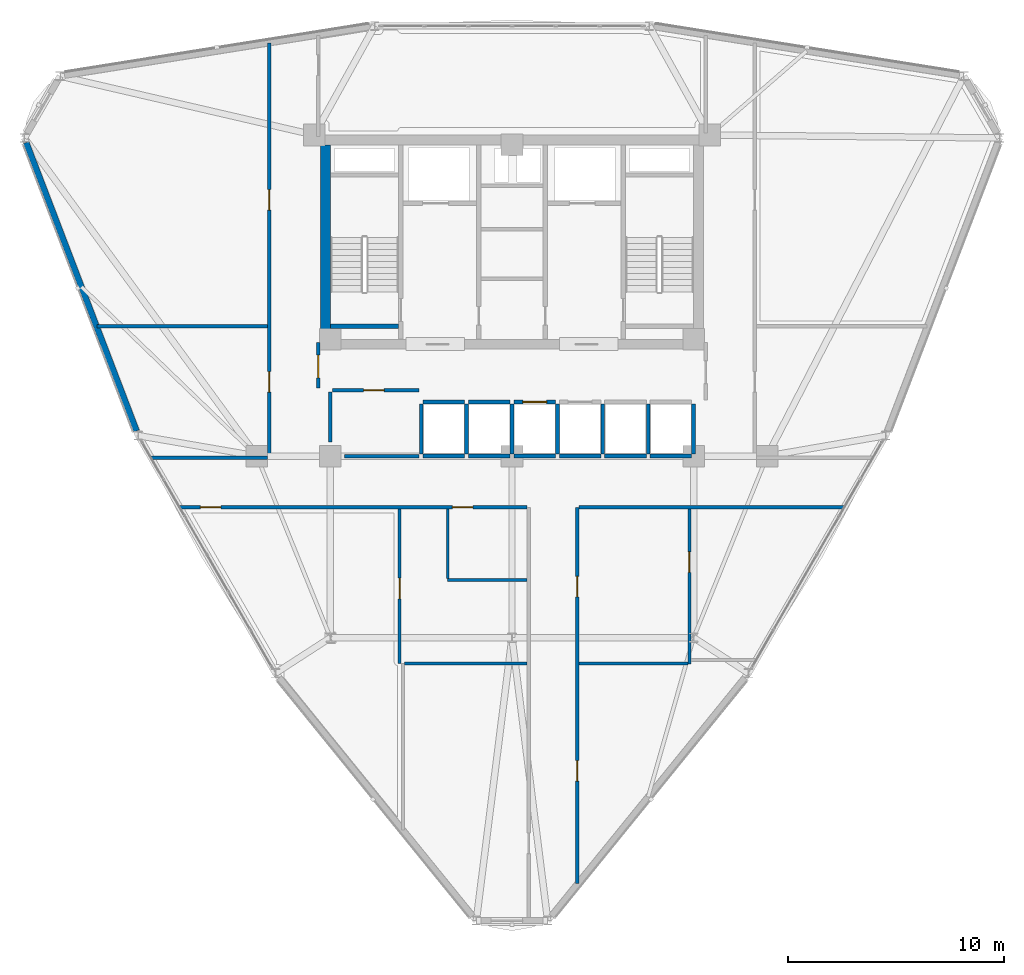
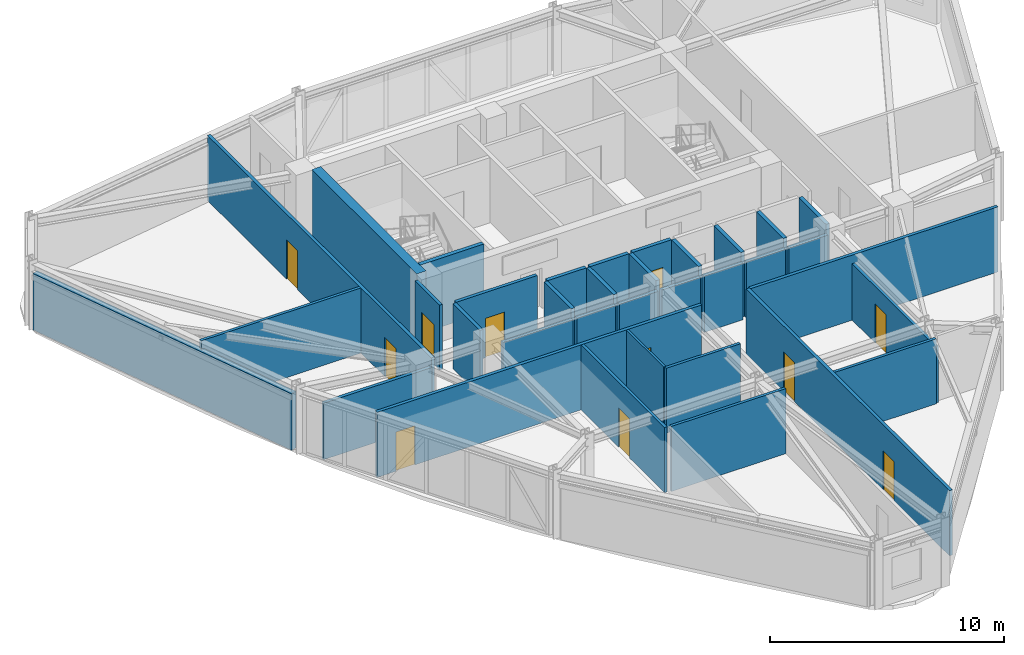
# One storey, part 10 of 14: 35 walls, 11 doors, 11 openings.
"""IFC4 building model written with IfcOpenShell, lengths in metres."""

from ifc_helpers import new_model, si_unit, derived_unit, direction, frame, frame_2d, origin, place, context, subcontext, project, spatial, rectangle, extrude, material, layer, layer_set, type_object, element, fill, save


model = new_model("IFC4")

# Units and contexts
model_context = context("Model", 3, precision=1e-05, world=origin(), true_north=direction((0.0, 1.0)))
body_context = subcontext(model_context, "Body", "Model", "MODEL_VIEW")
ifc_project = project(units=[si_unit("LENGTHUNIT", "METRE"), si_unit("AREAUNIT", "SQUARE_METRE"), si_unit("VOLUMEUNIT", "CUBIC_METRE"), si_unit("PLANEANGLEUNIT", "RADIAN"), si_unit("MASSUNIT", "GRAM", prefix="KILO"), derived_unit("THERMALTRANSMITTANCEUNIT", [(si_unit("POWERUNIT", "WATT"), 1), (si_unit("LENGTHUNIT", "METRE"), -2), (si_unit("THERMODYNAMICTEMPERATUREUNIT", "KELVIN"), -1)])], contexts=[model_context])

# Site, building, storey
site_placement = place(None, origin())
site = spatial("IfcSite", under=ifc_project, at=site_placement, CompositionType="ELEMENT")
building_placement = place(site_placement, origin())
building = spatial("IfcBuilding", under=site, at=building_placement, Name="Korsvarv Bourse and Concert Hall", CompositionType="ELEMENT")
storey_placement = place(building_placement, frame((0.0, 0.0, 172.199951171875)))
storey = spatial("IfcBuildingStorey", under=building, at=storey_placement, Name="L44", CompositionType="ELEMENT", Elevation=172.199951171875)

# Walls
ifc_material_1 = material(Name="Concrete C50/60", Category="concrete")
ifc_layer_1 = layer(ifc_material_1, 0.3798828125)
ifc_layer_set_1 = layer_set([ifc_layer_1], Name="Concrete C50/60")
wall_type_1 = type_object("IfcWallType", Name="WL-CORE-380", PredefinedType="SHEAR", material=ifc_layer_set_1)
wall_1_placement = place(storey_placement, frame((27.610107421875, 38.39990234375, 0.0), z_axis=(0.0, 0.0, 1.0), x_axis=(1.0, 0.0, 0.0)))
element("IfcWall", 1, at=wall_1_placement, inside=storey, type_object=wall_type_1, Name="L44 stair shaft structural wall W-L44-ST1-S", PredefinedType="SHEAR", context=body_context, shape_type="SweptSolid", body=[
    extrude(rectangle(XDim=3.139892578125, YDim=0.199951171875, at=frame_2d((1.56982421875, 0.0))), origin(), (0.0, 0.0, 1.0), 3.60009765625),
])
ifc_material_2 = material(Name="Concrete C55/67", Category="concrete")
ifc_layer_2 = layer(ifc_material_2, 0.449951171875)
ifc_layer_set_2 = layer_set([ifc_layer_2], Name="Concrete C55/67")
wall_type_2 = type_object("IfcWallType", Name="WL-CORE-450", PredefinedType="SHEAR", material=ifc_layer_set_2)
wall_2_placement = place(storey_placement, frame((27.375, 37.800048828125, 0.0), z_axis=(0.0, 0.0, 1.0), x_axis=(0.0, 1.0, 0.0)))
element("IfcWall", 2, at=wall_2_placement, inside=storey, type_object=wall_type_2, Name="L44 West Core Shear Wall", PredefinedType="SHEAR", context=body_context, shape_type="SweptSolid", body=[
    extrude(rectangle(XDim=9.0, YDim=0.449951171875, at=frame_2d((4.5, 0.0))), origin(), (0.0, 0.0, 1.0), 3.60009765625),
])
ifc_material_3 = material(Name="Precast concrete C45/55 with fluted terracotta pier", Category="concrete")
ifc_layer_3 = layer(ifc_material_3, 0.280029296875)
ifc_layer_set_3 = layer_set([ifc_layer_3], Name="Precast concrete C45/55 with fluted terracotta pier")
wall_type_3 = type_object("IfcWallType", Name="WL-EXT-TC2", PredefinedType="SOLIDWALL", material=ifc_layer_set_3)
wall_3_placement = place(storey_placement, frame((13.527587890625, 46.9013671875, 0.0), z_axis=(0.0, 0.0, 1.0), x_axis=(0.357407179744, -0.933948664471, 0.0)))
element("IfcWall", 3, at=wall_3_placement, inside=storey, type_object=wall_type_3, Name="L44 terracotta exterior wall EW-L44-B06", PredefinedType="SOLIDWALL", context=body_context, shape_type="SweptSolid", body=[
    extrude(rectangle(XDim=14.283935546875, YDim=0.280029296875, at=frame_2d((7.14208984375, 0.0))), origin(), (0.0, 0.0, 1.0), 2.949951171875),
])
ifc_material_4 = material(Name="Double-stud fire-rated acoustic partition", Category="gypsum")
ifc_layer_4 = layer(ifc_material_4, 0.159912109375)
ifc_layer_set_4 = layer_set([ifc_layer_4], Name="Double-stud fire-rated acoustic partition")
wall_type_4 = type_object("IfcWallType", Name="WL-INT-EI60", PredefinedType="PARTITIONING", material=ifc_layer_set_4)
wall_4_placement = place(storey_placement, frame((28.25, 32.39990234375, 0.0), z_axis=(0.0, 0.0, 1.0), x_axis=(1.0, 0.0, 0.0)))
element("IfcWall", 4, at=wall_4_placement, inside=storey, type_object=wall_type_4, Name="L44 interior partition wall W-L44-FRD-S", PredefinedType="PARTITIONING", context=body_context, shape_type="SweptSolid", body=[
    extrude(rectangle(XDim=3.449951171875, YDim=0.159912109375, at=frame_2d((1.72509765625, 0.0))), origin(), (0.0, 0.0, 1.0), 2.949951171875),
])
wall_5_placement = place(storey_placement, frame((27.60009765625, 33.050048828125, 0.0), z_axis=(0.0, 0.0, 1.0), x_axis=(0.0, 1.0, 0.0)))
element("IfcWall", 5, at=wall_5_placement, inside=storey, type_object=wall_type_4, Name="L44 interior partition wall W-L44-FRD-W", PredefinedType="PARTITIONING", context=body_context, shape_type="SweptSolid", body=[
    extrude(rectangle(XDim=2.31005859375, YDim=0.159912109375, at=frame_2d((1.155029296875, 0.0))), origin(), (0.0, 0.0, 1.0), 3.400146484375),
])

# Wall, opening, door
wall_6_placement = place(storey_placement, frame((27.68994140625, 35.449951171875, 0.0), z_axis=(0.0, 0.0, 1.0), x_axis=(1.0, 0.0, 0.0)))
wall_6 = element("IfcWall", 6, at=wall_6_placement, inside=storey, type_object=wall_type_4, Name="L44 interior partition wall W-L44-FRD-N", PredefinedType="PARTITIONING", context=body_context, shape_type="SweptSolid", body=[
    extrude(rectangle(XDim=4.010009765625, YDim=0.159912109375, at=frame_2d((2.0048828125, 0.0))), origin(), (0.0, 0.0, 1.0), 3.400146484375),
])
opening_1_placement = place(wall_6_placement, frame((1.449951171875, 0.0, 0.0)))
opening_1 = element("IfcOpeningElement", 7, at=opening_1_placement, cuts=wall_6, Name="Opening D-03", PredefinedType="OPENING", context=body_context, shape_type="SweptSolid", body=[
    extrude(rectangle(XDim=0.949951171875, YDim=2.050048828125, at=frame_2d((0.47509765625, 1.02490234375))), frame((0.0, 0.08984375, 0.0), z_axis=(0.0, -1.0, 0.0), x_axis=(1.0, 0.0, 0.0)), (0.0, 0.0, 1.0), 0.179931640625),
])
ifc_material_5 = material(Name="Nordic oak acoustic office door", Category="wood")
door_type_1 = type_object("IfcDoorType", Name="DR-INT-1", OperationType="NOTDEFINED", PredefinedType="DOOR", material=ifc_material_5)
door_1_placement = place(opening_1_placement, origin())
door_1 = element("IfcDoor", 8, at=door_1_placement, inside=storey, type_object=door_type_1, Name="L44 interior door DR-L44-FRDN1", OperationType="SINGLE_SWING_LEFT", OverallHeight=2.050048828125, OverallWidth=0.949951171875, PredefinedType="DOOR", context=body_context, shape_type="SweptSolid", body=[
    extrude(rectangle(XDim=0.949951171875, YDim=2.050048828125, at=frame_2d((0.47509765625, 1.02490234375))), frame((0.0, 0.02490234375, 0.0), z_axis=(0.0, -1.0, 0.0), x_axis=(1.0, 0.0, 0.0)), (0.0, 0.0, 1.0), 0.050048828125),
])
fill(opening_1, door_1)

wall_7_placement = place(storey_placement, frame((27.0400390625, 35.5400390625, 0.0), z_axis=(0.0, 0.0, 1.0), x_axis=(0.0, 1.0, 0.0)))
wall_7 = element("IfcWall", 9, at=wall_7_placement, inside=storey, type_object=wall_type_4, Name="L44 interior partition wall W-L44-LOB-WL", PredefinedType="PARTITIONING", context=body_context, shape_type="SweptSolid", body=[
    extrude(rectangle(XDim=2.10986328125, YDim=0.159912109375, at=frame_2d((1.054931640625, 0.0))), origin(), (0.0, 0.0, 1.0), 3.400146484375),
])
opening_2_placement = place(wall_7_placement, frame((0.47998046875, 0.0, 0.0)))
opening_2 = element("IfcOpeningElement", 10, at=opening_2_placement, cuts=wall_7, Name="Opening D-01", PredefinedType="OPENING", context=body_context, shape_type="SweptSolid", body=[
    extrude(rectangle(XDim=1.050048828125, YDim=2.10009765625, at=frame_2d((0.52490234375, 1.050048828125))), frame((0.0, 0.08984375, 0.0), z_axis=(0.0, -1.0, 0.0), x_axis=(1.0, 0.0, 0.0)), (0.0, 0.0, 1.0), 0.179931640625),
])
ifc_material_6 = material(Name="Steel S355 fire door", Category="steel")
door_type_2 = type_object("IfcDoorType", Name="DR-FD60", OperationType="NOTDEFINED", PredefinedType="DOOR", material=ifc_material_6)
door_2_placement = place(opening_2_placement, frame((1.050048828125, 0.0, 0.0), z_axis=(0.0, 0.0, 1.0), x_axis=(-1.0, 0.0, 0.0)))
door_2 = element("IfcDoor", 11, at=door_2_placement, inside=storey, type_object=door_type_2, Name="L44 interior door DR-L44-LOBW", OperationType="SINGLE_SWING_RIGHT", OverallHeight=2.10009765625, OverallWidth=1.050048828125, PredefinedType="DOOR", context=body_context, shape_type="SweptSolid", body=[
    extrude(rectangle(XDim=1.050048828125, YDim=2.10009765625, at=frame_2d((0.52490234375, 1.050048828125))), frame((0.0, 0.02490234375, 0.0), z_axis=(0.0, -1.0, 0.0), x_axis=(1.0, 0.0, 0.0)), (0.0, 0.0, 1.0), 0.050048828125),
])
fill(opening_2, door_2)

# Wall, openings, doors
wall_8_placement = place(storey_placement, frame((24.77490234375, 32.31005859375, 0.0), z_axis=(0.0, 0.0, 1.0), x_axis=(0.0, 1.0, 0.0)))
wall_8 = element("IfcWall", 12, at=wall_8_placement, inside=storey, type_object=wall_type_4, Name="L44 interior partition wall W-L44-TCOR-02", PredefinedType="PARTITIONING", context=body_context, shape_type="SweptSolid", body=[
    extrude(rectangle(XDim=19.187744140625, YDim=0.159912109375, at=frame_2d((9.59375, 0.0))), origin(), (0.0, 0.0, 1.0), 3.400146484375),
])
opening_3_placement = place(wall_8_placement, frame((3.044189453125, 0.0, 0.0)))
opening_3 = element("IfcOpeningElement", 13, at=opening_3_placement, cuts=wall_8, Name="Opening D-02", PredefinedType="OPENING", context=body_context, shape_type="SweptSolid", body=[
    extrude(rectangle(XDim=0.949951171875, YDim=2.050048828125, at=frame_2d((0.47509765625, 1.02490234375))), frame((0.0, 0.08984375, 0.0), z_axis=(0.0, -1.0, 0.0), x_axis=(1.0, 0.0, 0.0)), (0.0, 0.0, 1.0), 0.179931640625),
])
opening_4_placement = place(wall_8_placement, frame((11.46337890625, 0.0, 0.0)))
opening_4 = element("IfcOpeningElement", 14, at=opening_4_placement, cuts=wall_8, Name="Opening D-02", PredefinedType="OPENING", context=body_context, shape_type="SweptSolid", body=[
    extrude(rectangle(XDim=0.949951171875, YDim=2.050048828125, at=frame_2d((0.47509765625, 1.02490234375))), frame((0.0, 0.08984375, 0.0), z_axis=(0.0, -1.0, 0.0), x_axis=(1.0, 0.0, 0.0)), (0.0, 0.0, 1.0), 0.179931640625),
])
ifc_material_7 = material(Name="Timber and steel acoustic fire door", Category="wood")
door_type_3 = type_object("IfcDoorType", Name="DR-FD30", OperationType="NOTDEFINED", PredefinedType="DOOR", material=ifc_material_7)
door_3_placement = place(opening_3_placement, origin())
door_3 = element("IfcDoor", 15, at=door_3_placement, inside=storey, type_object=door_type_3, Name="L44 interior door DR-L44-TCOR-CD610", OperationType="SINGLE_SWING_RIGHT", OverallHeight=2.050048828125, OverallWidth=0.949951171875, PredefinedType="DOOR", context=body_context, shape_type="SweptSolid", body=[
    extrude(rectangle(XDim=0.949951171875, YDim=2.050048828125, at=frame_2d((0.47509765625, 1.02490234375))), frame((0.0, 0.02490234375, 0.0), z_axis=(0.0, -1.0, 0.0), x_axis=(1.0, 0.0, 0.0)), (0.0, 0.0, 1.0), 0.050048828125),
])
fill(opening_3, door_3)
door_4_placement = place(opening_4_placement, origin())
door_4 = element("IfcDoor", 16, at=door_4_placement, inside=storey, type_object=door_type_3, Name="L44 interior door DR-L44-TCOR-CD711", OperationType="SINGLE_SWING_LEFT", OverallHeight=2.050048828125, OverallWidth=0.949951171875, PredefinedType="DOOR", context=body_context, shape_type="SweptSolid", body=[
    extrude(rectangle(XDim=0.949951171875, YDim=2.050048828125, at=frame_2d((0.47509765625, 1.02490234375))), frame((0.0, 0.02490234375, 0.0), z_axis=(0.0, -1.0, 0.0), x_axis=(1.0, 0.0, 0.0)), (0.0, 0.0, 1.0), 0.050048828125),
])
fill(opening_4, door_4)

wall_9_placement = place(storey_placement, frame((39.02490234375, 12.623046875, 0.0), z_axis=(0.0, 0.0, 1.0), x_axis=(0.0, 1.0, 0.0)))
wall_9 = element("IfcWall", 17, at=wall_9_placement, inside=storey, type_object=wall_type_4, Name="L44 interior partition wall W-L44-TCOR-04", PredefinedType="PARTITIONING", context=body_context, shape_type="SweptSolid", body=[
    extrude(rectangle(XDim=17.406982421875, YDim=0.159912109375, at=frame_2d((8.70361328125, 0.0))), origin(), (0.0, 0.0, 1.0), 3.400146484375),
])
opening_5_placement = place(wall_9_placement, frame((4.74169921875, 0.0, 0.0)))
opening_5 = element("IfcOpeningElement", 18, at=opening_5_placement, cuts=wall_9, Name="Opening D-02", PredefinedType="OPENING", context=body_context, shape_type="SweptSolid", body=[
    extrude(rectangle(XDim=0.949951171875, YDim=2.050048828125, at=frame_2d((0.47509765625, 1.02490234375))), frame((0.0, 0.08984375, 0.0), z_axis=(0.0, -1.0, 0.0), x_axis=(1.0, 0.0, 0.0)), (0.0, 0.0, 1.0), 0.179931640625),
])
opening_6_placement = place(wall_9_placement, frame((13.261962890625, 0.0, 0.0)))
opening_6 = element("IfcOpeningElement", 19, at=opening_6_placement, cuts=wall_9, Name="Opening D-02", PredefinedType="OPENING", context=body_context, shape_type="SweptSolid", body=[
    extrude(rectangle(XDim=0.949951171875, YDim=2.050048828125, at=frame_2d((0.47509765625, 1.02490234375))), frame((0.0, 0.08984375, 0.0), z_axis=(0.0, -1.0, 0.0), x_axis=(1.0, 0.0, 0.0)), (0.0, 0.0, 1.0), 0.179931640625),
])
door_5_placement = place(opening_5_placement, origin())
door_5 = element("IfcDoor", 20, at=door_5_placement, inside=storey, type_object=door_type_3, Name="L44 interior door DR-L44-TCOR-CD53", OperationType="SINGLE_SWING_LEFT", OverallHeight=2.050048828125, OverallWidth=0.949951171875, PredefinedType="DOOR", context=body_context, shape_type="SweptSolid", body=[
    extrude(rectangle(XDim=0.949951171875, YDim=2.050048828125, at=frame_2d((0.47509765625, 1.02490234375))), frame((0.0, 0.02490234375, 0.0), z_axis=(0.0, -1.0, 0.0), x_axis=(1.0, 0.0, 0.0)), (0.0, 0.0, 1.0), 0.050048828125),
])
fill(opening_5, door_5)
door_6_placement = place(opening_6_placement, origin())
door_6 = element("IfcDoor", 21, at=door_6_placement, inside=storey, type_object=door_type_3, Name="L44 interior door DR-L44-TCOR-CD24", OperationType="SINGLE_SWING_RIGHT", OverallHeight=2.050048828125, OverallWidth=0.949951171875, PredefinedType="DOOR", context=body_context, shape_type="SweptSolid", body=[
    extrude(rectangle(XDim=0.949951171875, YDim=2.050048828125, at=frame_2d((0.47509765625, 1.02490234375))), frame((0.0, 0.02490234375, 0.0), z_axis=(0.0, -1.0, 0.0), x_axis=(1.0, 0.0, 0.0)), (0.0, 0.0, 1.0), 0.050048828125),
])
fill(opening_6, door_6)

wall_10_placement = place(storey_placement, frame((20.65283203125, 30.02490234375, 0.0), z_axis=(0.0, 0.0, 1.0), x_axis=(1.0, 0.0, 0.0)))
wall_10 = element("IfcWall", 22, at=wall_10_placement, inside=storey, type_object=wall_type_4, Name="L44 interior partition wall W-L44-TCOR-05", PredefinedType="PARTITIONING", context=body_context, shape_type="SweptSolid", body=[
    extrude(rectangle(XDim=16.040283203125, YDim=0.159912109375, at=frame_2d((8.02001953125, 0.0))), origin(), (0.0, 0.0, 1.0), 3.400146484375),
])
opening_7_placement = place(wall_10_placement, frame((12.587158203125, 0.0, 0.0)))
opening_7 = element("IfcOpeningElement", 23, at=opening_7_placement, cuts=wall_10, Name="Opening D-02", PredefinedType="OPENING", context=body_context, shape_type="SweptSolid", body=[
    extrude(rectangle(XDim=0.949951171875, YDim=2.050048828125, at=frame_2d((0.47509765625, 1.02490234375))), frame((0.0, 0.08984375, 0.0), z_axis=(0.0, -1.0, 0.0), x_axis=(1.0, 0.0, 0.0)), (0.0, 0.0, 1.0), 0.179931640625),
])
opening_8_placement = place(wall_10_placement, frame((0.929931640625, 0.0, 0.0)))
opening_8 = element("IfcOpeningElement", 24, at=opening_8_placement, cuts=wall_10, Name="Opening D-02", PredefinedType="OPENING", context=body_context, shape_type="SweptSolid", body=[
    extrude(rectangle(XDim=0.949951171875, YDim=2.050048828125, at=frame_2d((0.47509765625, 1.02490234375))), frame((0.0, 0.08984375, 0.0), z_axis=(0.0, -1.0, 0.0), x_axis=(1.0, 0.0, 0.0)), (0.0, 0.0, 1.0), 0.179931640625),
])
door_7_placement = place(opening_7_placement, origin())
door_7 = element("IfcDoor", 25, at=door_7_placement, inside=storey, type_object=door_type_3, Name="L44 interior door DR-L44-TCOR-RWC", OperationType="SINGLE_SWING_LEFT", OverallHeight=2.050048828125, OverallWidth=0.949951171875, PredefinedType="DOOR", context=body_context, shape_type="SweptSolid", body=[
    extrude(rectangle(XDim=0.949951171875, YDim=2.050048828125, at=frame_2d((0.47509765625, 1.02490234375))), frame((0.0, 0.02490234375, 0.0), z_axis=(0.0, -1.0, 0.0), x_axis=(1.0, 0.0, 0.0)), (0.0, 0.0, 1.0), 0.050048828125),
])
fill(opening_7, door_7)
door_8_placement = place(opening_8_placement, origin())
door_8 = element("IfcDoor", 26, at=door_8_placement, inside=storey, type_object=door_type_3, Name="L44 interior door DR-L44-TCOR-CD17", OperationType="SINGLE_SWING_RIGHT", OverallHeight=2.050048828125, OverallWidth=0.949951171875, PredefinedType="DOOR", context=body_context, shape_type="SweptSolid", body=[
    extrude(rectangle(XDim=0.949951171875, YDim=2.050048828125, at=frame_2d((0.47509765625, 1.02490234375))), frame((0.0, 0.02490234375, 0.0), z_axis=(0.0, -1.0, 0.0), x_axis=(1.0, 0.0, 0.0)), (0.0, 0.0, 1.0), 0.050048828125),
])
fill(opening_8, door_8)

# Walls
wall_11_placement = place(storey_placement, frame((39.10693359375, 30.02490234375, 0.0), z_axis=(0.0, 0.0, 1.0), x_axis=(1.0, 0.0, 0.0)))
element("IfcWall", 27, at=wall_11_placement, inside=storey, type_object=wall_type_4, Name="L44 interior partition wall W-L44-TCOR-06", PredefinedType="PARTITIONING", context=body_context, shape_type="SweptSolid", body=[
    extrude(rectangle(XDim=12.240234375, YDim=0.159912109375, at=frame_2d((6.1201171875, 0.0))), origin(), (0.0, 0.0, 1.0), 3.400146484375),
])
wall_12_placement = place(storey_placement, frame((19.330810546875, 32.31494140625, 0.0), z_axis=(0.0, 0.0, 1.0), x_axis=(1.0, 0.0, 0.0)))
element("IfcWall", 28, at=wall_12_placement, inside=storey, type_object=wall_type_4, Name="L44 interior partition wall W-L44-TCOR-08", PredefinedType="PARTITIONING", context=body_context, shape_type="SweptSolid", body=[
    extrude(rectangle(XDim=5.3623046875, YDim=0.159912109375, at=frame_2d((2.68115234375, 0.0))), origin(), (0.0, 0.0, 1.0), 2.949951171875),
])
ifc_material_8 = material(Name="Gypsum-clad autoclaved concrete shaft wall C30/37", Category="concrete")
ifc_layer_5 = layer(ifc_material_8, 0.179931640625)
ifc_layer_set_5 = layer_set([ifc_layer_5], Name="Gypsum-clad autoclaved concrete shaft wall C30/37")
wall_type_5 = type_object("IfcWallType", Name="WL-INT-EI90", PredefinedType="PARTITIONING", material=ifc_layer_set_5)
wall_13_placement = place(storey_placement, frame((31.889892578125, 34.89990234375, 0.0), z_axis=(0.0, 0.0, 1.0), x_axis=(1.0, 0.0, 0.0)))
element("IfcWall", 29, at=wall_13_placement, inside=storey, type_object=wall_type_5, Name="L44 interior partition wall W-L44-SHFN-PM1", PredefinedType="PARTITIONING", context=body_context, shape_type="SweptSolid", body=[
    extrude(rectangle(XDim=1.920166015625, YDim=0.179931640625, at=frame_2d((0.9599609375, 0.0))), origin(), (0.0, 0.0, 1.0), 3.400146484375),
])
wall_14_placement = place(storey_placement, frame((31.889892578125, 32.39990234375, 0.0), z_axis=(0.0, 0.0, 1.0), x_axis=(1.0, 0.0, 0.0)))
element("IfcWall", 30, at=wall_14_placement, inside=storey, type_object=wall_type_5, Name="L44 interior partition wall W-L44-SHFS-PM1", PredefinedType="PARTITIONING", context=body_context, shape_type="SweptSolid", body=[
    extrude(rectangle(XDim=1.920166015625, YDim=0.179931640625, at=frame_2d((0.9599609375, 0.0))), origin(), (0.0, 0.0, 1.0), 2.949951171875),
])
wall_15_placement = place(storey_placement, frame((31.800048828125, 32.489990234375, 0.0), z_axis=(0.0, 0.0, 1.0), x_axis=(0.0, 1.0, 0.0)))
element("IfcWall", 31, at=wall_15_placement, inside=storey, type_object=wall_type_5, Name="L44 interior partition wall W-L44-SHFW-PM1", PredefinedType="PARTITIONING", context=body_context, shape_type="SweptSolid", body=[
    extrude(rectangle(XDim=2.320068359375, YDim=0.179931640625, at=frame_2d((1.16015625, 0.0))), origin(), (0.0, 0.0, 1.0), 3.400146484375),
])
wall_16_placement = place(storey_placement, frame((33.989990234375, 34.89990234375, 0.0), z_axis=(0.0, 0.0, 1.0), x_axis=(1.0, 0.0, 0.0)))
element("IfcWall", 32, at=wall_16_placement, inside=storey, type_object=wall_type_5, Name="L44 interior partition wall W-L44-SHFN-PM2", PredefinedType="PARTITIONING", context=body_context, shape_type="SweptSolid", body=[
    extrude(rectangle(XDim=1.919921875, YDim=0.179931640625, at=frame_2d((0.9599609375, 0.0))), origin(), (0.0, 0.0, 1.0), 3.400146484375),
])
wall_17_placement = place(storey_placement, frame((33.989990234375, 32.39990234375, 0.0), z_axis=(0.0, 0.0, 1.0), x_axis=(1.0, 0.0, 0.0)))
element("IfcWall", 33, at=wall_17_placement, inside=storey, type_object=wall_type_5, Name="L44 interior partition wall W-L44-SHFS-PM2", PredefinedType="PARTITIONING", context=body_context, shape_type="SweptSolid", body=[
    extrude(rectangle(XDim=1.919921875, YDim=0.179931640625, at=frame_2d((0.9599609375, 0.0))), origin(), (0.0, 0.0, 1.0), 2.949951171875),
])
wall_18_placement = place(storey_placement, frame((33.89990234375, 32.489990234375, 0.0), z_axis=(0.0, 0.0, 1.0), x_axis=(0.0, 1.0, 0.0)))
element("IfcWall", 34, at=wall_18_placement, inside=storey, type_object=wall_type_5, Name="L44 interior partition wall W-L44-SHFW-PM2", PredefinedType="PARTITIONING", context=body_context, shape_type="SweptSolid", body=[
    extrude(rectangle(XDim=2.320068359375, YDim=0.179931640625, at=frame_2d((1.16015625, 0.0))), origin(), (0.0, 0.0, 1.0), 3.400146484375),
])

# Wall, opening, door
wall_19_placement = place(storey_placement, frame((36.090087890625, 34.89990234375, 0.0), z_axis=(0.0, 0.0, 1.0), x_axis=(1.0, 0.0, 0.0)))
wall_19 = element("IfcWall", 35, at=wall_19_placement, inside=storey, type_object=wall_type_5, Name="L44 interior partition wall W-L44-SHFN-PH1", PredefinedType="PARTITIONING", context=body_context, shape_type="SweptSolid", body=[
    extrude(rectangle(XDim=1.919921875, YDim=0.179931640625, at=frame_2d((0.9599609375, 0.0))), origin(), (0.0, 0.0, 1.0), 3.400146484375),
])
opening_9_placement = place(wall_19_placement, frame((0.409912109375, 0.0, 0.0)))
opening_9 = element("IfcOpeningElement", 36, at=opening_9_placement, cuts=wall_19, Name="Opening LD-2", PredefinedType="OPENING", context=body_context, shape_type="SweptSolid", body=[
    extrude(rectangle(XDim=1.10009765625, YDim=2.10009765625, at=frame_2d((0.550048828125, 1.050048828125))), frame((0.0, 0.10009765625, 0.0), z_axis=(0.0, -1.0, 0.0), x_axis=(1.0, 0.0, 0.0)), (0.0, 0.0, 1.0), 0.199951171875),
])
ifc_material_9 = material(Name="Brushed stainless Steel S355 lift landing door", Category="steel")
door_type_4 = type_object("IfcDoorType", Name="DR-LIFT-P", OperationType="DOUBLE_DOOR_SLIDING", PredefinedType="DOOR", material=ifc_material_9)
door_9_placement = place(opening_9_placement, origin())
door_9 = element("IfcDoor", 37, at=door_9_placement, inside=storey, type_object=door_type_4, Name="L44 lift sliding landing door LD-L44-PH1", OperationType="DOUBLE_DOOR_SLIDING", OverallHeight=2.10009765625, OverallWidth=1.10009765625, PredefinedType="DOOR", context=body_context, shape_type="SweptSolid", body=[
    extrude(rectangle(XDim=1.10009765625, YDim=2.10009765625, at=frame_2d((0.550048828125, 1.050048828125))), frame((0.0, 0.02490234375, 0.0), z_axis=(0.0, -1.0, 0.0), x_axis=(1.0, 0.0, 0.0)), (0.0, 0.0, 1.0), 0.050048828125),
])
fill(opening_9, door_9)

# Walls
wall_20_placement = place(storey_placement, frame((36.090087890625, 32.39990234375, 0.0), z_axis=(0.0, 0.0, 1.0), x_axis=(1.0, 0.0, 0.0)))
element("IfcWall", 38, at=wall_20_placement, inside=storey, type_object=wall_type_5, Name="L44 interior partition wall W-L44-SHFS-PH1", PredefinedType="PARTITIONING", context=body_context, shape_type="SweptSolid", body=[
    extrude(rectangle(XDim=1.919921875, YDim=0.179931640625, at=frame_2d((0.9599609375, 0.0))), origin(), (0.0, 0.0, 1.0), 2.949951171875),
])
wall_21_placement = place(storey_placement, frame((36.0, 32.489990234375, 0.0), z_axis=(0.0, 0.0, 1.0), x_axis=(0.0, 1.0, 0.0)))
element("IfcWall", 39, at=wall_21_placement, inside=storey, type_object=wall_type_5, Name="L44 interior partition wall W-L44-SHFW-PH1", PredefinedType="PARTITIONING", context=body_context, shape_type="SweptSolid", body=[
    extrude(rectangle(XDim=2.320068359375, YDim=0.179931640625, at=frame_2d((1.16015625, 0.0))), origin(), (0.0, 0.0, 1.0), 3.400146484375),
])
wall_22_placement = place(storey_placement, frame((38.18994140625, 32.39990234375, 0.0), z_axis=(0.0, 0.0, 1.0), x_axis=(1.0, 0.0, 0.0)))
element("IfcWall", 40, at=wall_22_placement, inside=storey, type_object=wall_type_5, Name="L44 interior partition wall W-L44-SHFS-PH2", PredefinedType="PARTITIONING", context=body_context, shape_type="SweptSolid", body=[
    extrude(rectangle(XDim=1.920166015625, YDim=0.179931640625, at=frame_2d((0.9599609375, 0.0))), origin(), (0.0, 0.0, 1.0), 2.949951171875),
])
wall_23_placement = place(storey_placement, frame((38.10009765625, 32.489990234375, 0.0), z_axis=(0.0, 0.0, 1.0), x_axis=(0.0, 1.0, 0.0)))
element("IfcWall", 41, at=wall_23_placement, inside=storey, type_object=wall_type_5, Name="L44 interior partition wall W-L44-SHFW-PH2", PredefinedType="PARTITIONING", context=body_context, shape_type="SweptSolid", body=[
    extrude(rectangle(XDim=2.320068359375, YDim=0.179931640625, at=frame_2d((1.16015625, 0.0))), origin(), (0.0, 0.0, 1.0), 3.400146484375),
])
wall_24_placement = place(storey_placement, frame((40.2900390625, 32.39990234375, 0.0), z_axis=(0.0, 0.0, 1.0), x_axis=(1.0, 0.0, 0.0)))
element("IfcWall", 42, at=wall_24_placement, inside=storey, type_object=wall_type_5, Name="L44 interior partition wall W-L44-SHFS-PO1", PredefinedType="PARTITIONING", context=body_context, shape_type="SweptSolid", body=[
    extrude(rectangle(XDim=1.919921875, YDim=0.179931640625, at=frame_2d((0.9599609375, 0.0))), origin(), (0.0, 0.0, 1.0), 2.949951171875),
])
wall_25_placement = place(storey_placement, frame((40.199951171875, 32.489990234375, 0.0), z_axis=(0.0, 0.0, 1.0), x_axis=(0.0, 1.0, 0.0)))
element("IfcWall", 43, at=wall_25_placement, inside=storey, type_object=wall_type_5, Name="L44 interior partition wall W-L44-SHFW-PO1", PredefinedType="PARTITIONING", context=body_context, shape_type="SweptSolid", body=[
    extrude(rectangle(XDim=2.320068359375, YDim=0.179931640625, at=frame_2d((1.16015625, 0.0))), origin(), (0.0, 0.0, 1.0), 3.400146484375),
])
wall_26_placement = place(storey_placement, frame((42.389892578125, 32.39990234375, 0.0), z_axis=(0.0, 0.0, 1.0), x_axis=(1.0, 0.0, 0.0)))
element("IfcWall", 44, at=wall_26_placement, inside=storey, type_object=wall_type_5, Name="L44 interior partition wall W-L44-SHFS-PO2", PredefinedType="PARTITIONING", context=body_context, shape_type="SweptSolid", body=[
    extrude(rectangle(XDim=1.920166015625, YDim=0.179931640625, at=frame_2d((0.9599609375, 0.0))), origin(), (0.0, 0.0, 1.0), 2.949951171875),
])
for number, where, z_axis, x_axis, name in (
    (45, (42.300048828125, 32.489990234375, 0.0), (0.0, 0.0, 1.0), (0.0, 1.0, 0.0), "L44 interior partition wall W-L44-SHFW-PO2"),
    (46, (44.39990234375, 32.489990234375, 0.0), (0.0, 0.0, 1.0), (0.0, 1.0, 0.0), "L44 interior partition wall W-L44-SHFE-END"),
):
    element("IfcWall", number, at=place(storey_placement, frame(where, z_axis=z_axis, x_axis=x_axis)), inside=storey, type_object=wall_type_5, Name=name, PredefinedType="PARTITIONING", context=body_context, shape_type="SweptSolid", body=[
        extrude(rectangle(XDim=2.320068359375, YDim=0.179931640625, at=frame_2d((1.16015625, 0.0))), origin(), (0.0, 0.0, 1.0), 3.400146484375),
    ])
ifc_material_10 = material(Name="Demountable acoustic glass and aluminium dealing partition", Category="aluminium")
ifc_layer_6 = layer(ifc_material_10, 0.110107421875)
ifc_layer_set_6 = layer_set([ifc_layer_6], Name="Demountable acoustic glass and aluminium dealing partition")
wall_type_6 = type_object("IfcWallType", Name="WL-INT-MOV", PredefinedType="MOVABLE", material=ifc_layer_set_6)
wall_27_placement = place(storey_placement, frame((33.02490234375, 26.7470703125, 0.0), z_axis=(0.0, 0.0, 1.0), x_axis=(0.0, 1.0, 0.0)))
element("IfcWall", 47, at=wall_27_placement, inside=storey, type_object=wall_type_6, Name="L44 interior partition wall W-L44-TCOR-19", PredefinedType="MOVABLE", context=body_context, shape_type="SweptSolid", body=[
    extrude(rectangle(XDim=3.196044921875, YDim=0.110107421875, at=frame_2d((1.59814453125, 0.0))), origin(), (0.0, 0.0, 1.0), 3.400146484375),
])
ifc_material_11 = material(Name="Insulated steel-stud office acoustic partition", Category="gypsum")
ifc_layer_7 = layer(ifc_material_11, 0.139892578125)
ifc_layer_set_7 = layer_set([ifc_layer_7], Name="Insulated steel-stud office acoustic partition")
wall_type_7 = type_object("IfcWallType", Name="WL-INT-P1", PredefinedType="PARTITIONING", material=ifc_layer_set_7)
wall_28_placement = place(storey_placement, frame((16.799072265625, 38.405029296875, 0.0), z_axis=(0.0, 0.0, 1.0), x_axis=(1.0, 0.0, 0.0)))
element("IfcWall", 48, at=wall_28_placement, inside=storey, type_object=wall_type_7, Name="L44 interior partition wall W-L44-TCOR-12", PredefinedType="PARTITIONING", context=body_context, shape_type="SweptSolid", body=[
    extrude(rectangle(XDim=7.89404296875, YDim=0.139892578125, at=frame_2d((3.947021484375, 0.0))), origin(), (0.0, 0.0, 1.0), 3.400146484375),
])

# Wall, opening, door
wall_29_placement = place(storey_placement, frame((44.205078125, 22.7900390625, 0.0), z_axis=(0.0, 0.0, 1.0), x_axis=(0.0, 1.0, 0.0)))
wall_29 = element("IfcWall", 49, at=wall_29_placement, inside=storey, type_object=wall_type_7, Name="L44 interior partition wall W-L44-TCOR-14", PredefinedType="PARTITIONING", context=body_context, shape_type="SweptSolid", body=[
    extrude(rectangle(XDim=7.153076171875, YDim=0.139892578125, at=frame_2d((3.57666015625, 0.0))), origin(), (0.0, 0.0, 1.0), 2.949951171875),
])
opening_10_placement = place(wall_29_placement, frame((4.234619140625, 0.0, 0.0)))
opening_10 = element("IfcOpeningElement", 50, at=opening_10_placement, cuts=wall_29, Name="Opening D-03", PredefinedType="OPENING", context=body_context, shape_type="SweptSolid", body=[
    extrude(rectangle(XDim=0.949951171875, YDim=2.050048828125, at=frame_2d((0.47509765625, 1.02490234375))), frame((0.0, 0.080078125, 0.0), z_axis=(0.0, -1.0, 0.0), x_axis=(1.0, 0.0, 0.0)), (0.0, 0.0, 1.0), 0.159912109375),
])
door_10_placement = place(opening_10_placement, origin())
door_10 = element("IfcDoor", 51, at=door_10_placement, inside=storey, type_object=door_type_1, Name="L44 interior door DR-L44-TCOR-CD35", OperationType="SINGLE_SWING_RIGHT", OverallHeight=2.050048828125, OverallWidth=0.949951171875, PredefinedType="DOOR", context=body_context, shape_type="SweptSolid", body=[
    extrude(rectangle(XDim=0.949951171875, YDim=2.050048828125, at=frame_2d((0.47509765625, 1.02490234375))), frame((0.0, 0.02490234375, 0.0), z_axis=(0.0, -1.0, 0.0), x_axis=(1.0, 0.0, 0.0)), (0.0, 0.0, 1.0), 0.050048828125),
])
fill(opening_10, door_10)

wall_30_placement = place(storey_placement, frame((30.804931640625, 22.81005859375, 0.0), z_axis=(0.0, 0.0, 1.0), x_axis=(0.0, 1.0, 0.0)))
wall_30 = element("IfcWall", 52, at=wall_30_placement, inside=storey, type_object=wall_type_7, Name="L44 interior partition wall W-L44-TCOR-15", PredefinedType="PARTITIONING", context=body_context, shape_type="SweptSolid", body=[
    extrude(rectangle(XDim=7.133056640625, YDim=0.139892578125, at=frame_2d((3.56640625, 0.0))), origin(), (0.0, 0.0, 1.0), 3.400146484375),
])
opening_11_placement = place(wall_30_placement, frame((2.989013671875, 0.0, 0.0)))
opening_11 = element("IfcOpeningElement", 53, at=opening_11_placement, cuts=wall_30, Name="Opening D-03", PredefinedType="OPENING", context=body_context, shape_type="SweptSolid", body=[
    extrude(rectangle(XDim=0.949951171875, YDim=2.050048828125, at=frame_2d((0.47509765625, 1.02490234375))), frame((0.0, 0.080078125, 0.0), z_axis=(0.0, -1.0, 0.0), x_axis=(1.0, 0.0, 0.0)), (0.0, 0.0, 1.0), 0.159912109375),
])
door_11_placement = place(opening_11_placement, origin())
door_11 = element("IfcDoor", 54, at=door_11_placement, inside=storey, type_object=door_type_1, Name="L44 interior door DR-L44-TCOR-RM99", OperationType="SINGLE_SWING_LEFT", OverallHeight=2.050048828125, OverallWidth=0.949951171875, PredefinedType="DOOR", context=body_context, shape_type="SweptSolid", body=[
    extrude(rectangle(XDim=0.949951171875, YDim=2.050048828125, at=frame_2d((0.47509765625, 1.02490234375))), frame((0.0, 0.02490234375, 0.0), z_axis=(0.0, -1.0, 0.0), x_axis=(1.0, 0.0, 0.0)), (0.0, 0.0, 1.0), 0.050048828125),
])
fill(opening_11, door_11)

# Walls
wall_31_placement = place(storey_placement, frame((31.037109375, 22.804931640625, 0.0), z_axis=(0.0, 0.0, 1.0), x_axis=(1.0, 0.0, 0.0)))
element("IfcWall", 55, at=wall_31_placement, inside=storey, type_object=wall_type_7, Name="L44 interior partition wall W-L44-TCOR-16", PredefinedType="PARTITIONING", context=body_context, shape_type="SweptSolid", body=[
    extrude(rectangle(XDim=5.656005859375, YDim=0.139892578125, at=frame_2d((2.828125, 0.0))), origin(), (0.0, 0.0, 1.0), 3.400146484375),
])
wall_32_placement = place(storey_placement, frame((39.10693359375, 22.804931640625, 0.0), z_axis=(0.0, 0.0, 1.0), x_axis=(1.0, 0.0, 0.0)))
element("IfcWall", 56, at=wall_32_placement, inside=storey, type_object=wall_type_7, Name="L44 interior partition wall W-L44-TCOR-17", PredefinedType="PARTITIONING", context=body_context, shape_type="SweptSolid", body=[
    extrude(rectangle(XDim=5.026123046875, YDim=0.139892578125, at=frame_2d((2.51318359375, 0.0))), origin(), (0.0, 0.0, 1.0), 3.400146484375),
])
wall_33_placement = place(storey_placement, frame((33.02001953125, 26.675048828125, 0.0), z_axis=(0.0, 0.0, 1.0), x_axis=(1.0, 0.0, 0.0)))
element("IfcWall", 57, at=wall_33_placement, inside=storey, type_object=wall_type_7, Name="L44 interior partition wall W-L44-TCOR-18", PredefinedType="PARTITIONING", context=body_context, shape_type="SweptSolid", body=[
    extrude(rectangle(XDim=3.673095703125, YDim=0.139892578125, at=frame_2d((1.83642578125, 0.0))), origin(), (0.0, 0.0, 1.0), 3.400146484375),
])

save(model, "model.ifc")
